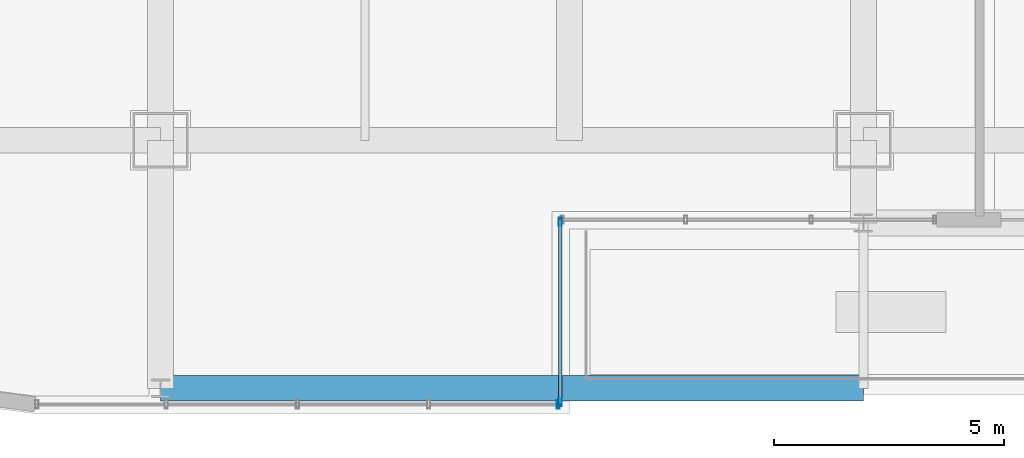
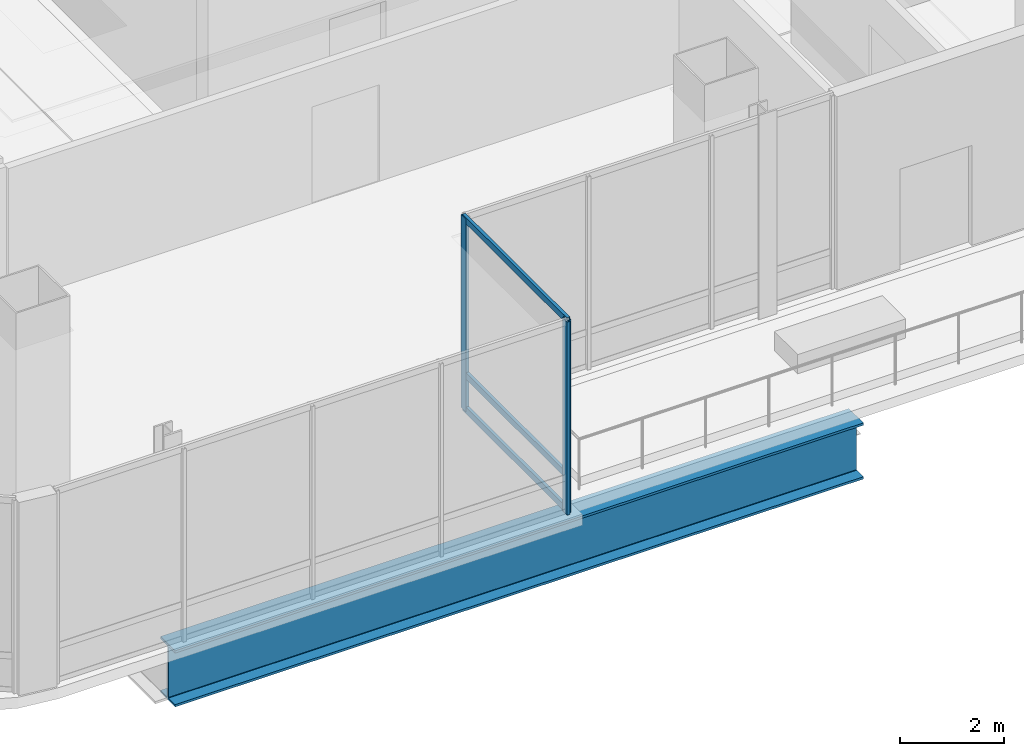
# One storey, part 3 of 44: 6 members, 1 beam, 2 elements without a shape of their own.
"""IFC4 building model written with IfcOpenShell, lengths in metres."""

from ifc_helpers import new_model, si_unit, direction, frame, origin, origin_2d, place, context, subcontext, project, spatial, hollow_rectangle, i_section, extrude, material, material_profile, profile_set, type_object, element, aggregate, save


model = new_model("IFC4")

# Units and contexts
model_context = context("Model", 3, precision=1e-05, world=origin(), true_north=direction((0.0, 1.0)))
body_context = subcontext(model_context, "Body", "Model", "MODEL_VIEW")
ifc_project = project(units=[si_unit("LENGTHUNIT", "METRE"), si_unit("AREAUNIT", "SQUARE_METRE"), si_unit("VOLUMEUNIT", "CUBIC_METRE"), si_unit("PLANEANGLEUNIT", "RADIAN"), si_unit("MASSUNIT", "GRAM", prefix="KILO")], contexts=[model_context])

# Site, building, storey
site_placement = place(None, origin())
site = spatial("IfcSite", under=ifc_project, at=site_placement, CompositionType="ELEMENT")
building_placement = place(site_placement, origin())
building = spatial("IfcBuilding", under=site, at=building_placement, Name="Punatoya Terracotta Tower", CompositionType="ELEMENT")
storey_placement = place(building_placement, frame((0.0, 0.0, 334.199951171875)))
storey = spatial("IfcBuildingStorey", under=building, at=storey_placement, Name="L79", CompositionType="ELEMENT", Elevation=334.199951171875)

# Beam
ifc_material_1 = material(Name="Steel S460", Category="steel")
ifc_material_profile_1 = material_profile(ifc_material_1, i_section(OverallWidth=0.56005859375, OverallDepth=1.320068359375, WebThickness=0.035888671875, FlangeThickness=0.054931640625, FilletRadius=0.01806640625, at=origin_2d()))
ifc_profile_set_1 = profile_set([ifc_material_profile_1], Name="Steel S460")
beam_type = type_object("IfcBeamType", Name="BM-TG-BLK", PredefinedType="BEAM", material=ifc_profile_set_1)
beam_placement = place(storey_placement, frame((-19.10009765625, -22.89990234375, -0.919921875), z_axis=(1.0, 0.0, 0.0), x_axis=(0.0, 1.0, 0.0)))
element("IfcBeam", 1, at=beam_placement, inside=storey, type_object=beam_type, Name="BM-L79-PER-S1", PredefinedType="BEAM", context=body_context, shape_type="SweptSolid", body=[
    extrude(i_section(OverallWidth=0.56005859375, OverallDepth=1.320068359375, WebThickness=0.035888671875, FlangeThickness=0.054931640625, FilletRadius=0.01806640625, at=origin_2d()), origin(), (0.0, 0.0, 1.0), 15.300048828125),
])

# Curtain wall, member
ifc_material_2 = material(Name="Aluminium 6063-T6 + Double Low-E Glass", Category="aluminium")
curtain_wall_type = type_object("IfcCurtainWallType", Name="CW-OBS", PredefinedType="NOTDEFINED", material=ifc_material_2)
curtain_wall_1_placement = place(storey_placement, origin())
curtain_wall_1 = element("IfcCurtainWall", 2, at=curtain_wall_1_placement, inside=storey, type_object=curtain_wall_type, Name="L79 Curtain Wall CW-L79-S02-1", PredefinedType="NOTDEFINED")
ifc_material_3 = material(Name="Aluminium 6063-T6", Category="aluminium")
ifc_material_profile_2 = material_profile(ifc_material_3, hollow_rectangle(XDim=0.070068359375, YDim=0.179931640625, WallThickness=0.00390625, at=origin_2d()))
ifc_profile_set_2 = profile_set([ifc_material_profile_2], Name="Aluminium 6063-T6")
member_type_1 = type_object("IfcMemberType", Name="CW-MUL-M3", PredefinedType="MULLION", material=ifc_profile_set_2)
member_1_placement = place(storey_placement, frame((-10.445068359375, -23.25, 0.0), z_axis=(0.0, 0.0, 1.0), x_axis=(1.0, 0.0, 0.0)))
member_1 = element("IfcMember", 3, at=member_1_placement, type_object=member_type_1, Name="CW-L79-S02-1 Mullion 04", PredefinedType="MULLION", context=body_context, shape_type="SweptSolid", body=[
    extrude(hollow_rectangle(XDim=0.070068359375, YDim=0.179931640625, WallThickness=0.00390625, at=origin_2d()), origin(), (0.0, 0.0, 1.0), 4.5400390625),
])
aggregate(curtain_wall_1, [member_1])

# Curtain wall, members
curtain_wall_2_placement = place(storey_placement, origin())
curtain_wall_2 = element("IfcCurtainWall", 4, at=curtain_wall_2_placement, inside=storey, type_object=curtain_wall_type, Name="L79 Curtain Wall CW-L79-E03-1", PredefinedType="NOTDEFINED")
member_2_placement = place(storey_placement, frame((-10.39990234375, -23.205078125, 0.0), z_axis=(0.0, 0.0, 1.0), x_axis=(1.0, 0.0, 0.0)))
member_2 = element("IfcMember", 5, at=member_2_placement, type_object=member_type_1, Name="CW-L79-E03-1 Mullion 00", PredefinedType="MULLION", context=body_context, shape_type="SweptSolid", body=[
    extrude(hollow_rectangle(XDim=0.070068359375, YDim=0.179931640625, WallThickness=0.00390625, at=origin_2d()), origin(), (0.0, 0.0, 1.0), 4.5400390625),
])
member_3_placement = place(storey_placement, frame((-10.39990234375, -19.27490234375, 0.0), z_axis=(0.0, 0.0, 1.0), x_axis=(1.0, 0.0, 0.0)))
member_3 = element("IfcMember", 6, at=member_3_placement, type_object=member_type_1, Name="CW-L79-E03-1 Mullion 01", PredefinedType="MULLION", context=body_context, shape_type="SweptSolid", body=[
    extrude(hollow_rectangle(XDim=0.070068359375, YDim=0.179931640625, WallThickness=0.00390625, at=origin_2d()), origin(), (0.0, 0.0, 1.0), 4.5400390625),
])
ifc_material_profile_3 = material_profile(ifc_material_3, hollow_rectangle(XDim=0.068115234375, YDim=0.14990234375, WallThickness=0.00390625, at=origin_2d()))
ifc_profile_set_3 = profile_set([ifc_material_profile_3], Name="Aluminium 6063-T6")
member_type_2 = type_object("IfcMemberType", Name="CW-TRN-TYP", PredefinedType="USERDEFINED", material=ifc_profile_set_3)
member_4_placement = place(storey_placement, frame((-10.39990234375, -23.25, 0.0400390625), z_axis=(0.0, 1.0, 0.0), x_axis=(-1.0, 0.0, 0.0)))
member_4 = element("IfcMember", 7, at=member_4_placement, type_object=member_type_2, Name="CW-L79-E03-1 Transom 1", ObjectType="TRANSOM", PredefinedType="USERDEFINED", context=body_context, shape_type="SweptSolid", body=[
    extrude(hollow_rectangle(XDim=0.068115234375, YDim=0.14990234375, WallThickness=0.00390625, at=origin_2d()), origin(), (0.0, 0.0, 1.0), 4.02001953125),
])
member_5_placement = place(storey_placement, frame((-10.39990234375, -23.25, 0.85009765625), z_axis=(0.0, 1.0, 0.0), x_axis=(-1.0, 0.0, 0.0)))
member_5 = element("IfcMember", 8, at=member_5_placement, type_object=member_type_2, Name="CW-L79-E03-1 Transom 2", ObjectType="TRANSOM", PredefinedType="USERDEFINED", context=body_context, shape_type="SweptSolid", body=[
    extrude(hollow_rectangle(XDim=0.068115234375, YDim=0.14990234375, WallThickness=0.00390625, at=origin_2d()), origin(), (0.0, 0.0, 1.0), 4.02001953125),
])
member_6_placement = place(storey_placement, frame((-10.39990234375, -23.25, 4.5), z_axis=(0.0, 1.0, 0.0), x_axis=(-1.0, 0.0, 0.0)))
member_6 = element("IfcMember", 9, at=member_6_placement, type_object=member_type_2, Name="CW-L79-E03-1 Transom 3", ObjectType="TRANSOM", PredefinedType="USERDEFINED", context=body_context, shape_type="SweptSolid", body=[
    extrude(hollow_rectangle(XDim=0.068115234375, YDim=0.14990234375, WallThickness=0.00390625, at=origin_2d()), origin(), (0.0, 0.0, 1.0), 4.02001953125),
])
aggregate(curtain_wall_2, [member_2, member_3, member_4, member_5, member_6])

save(model, "model.ifc")
